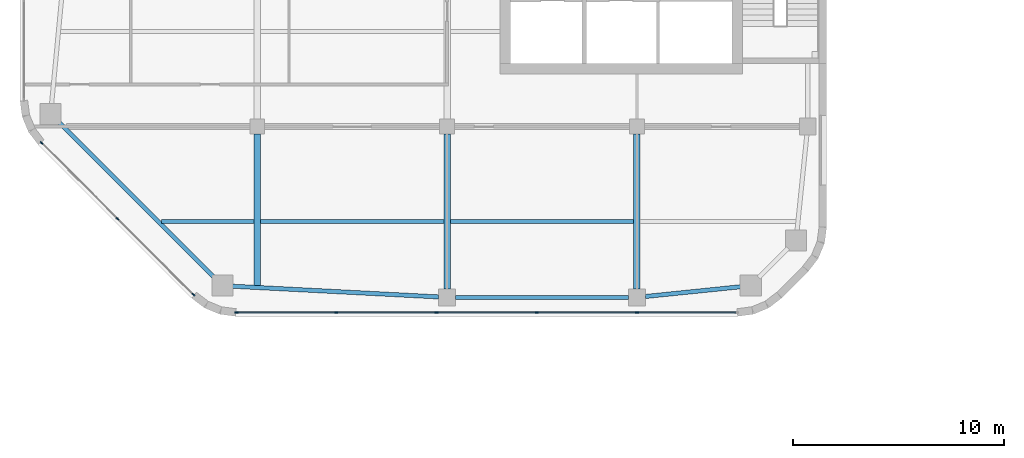
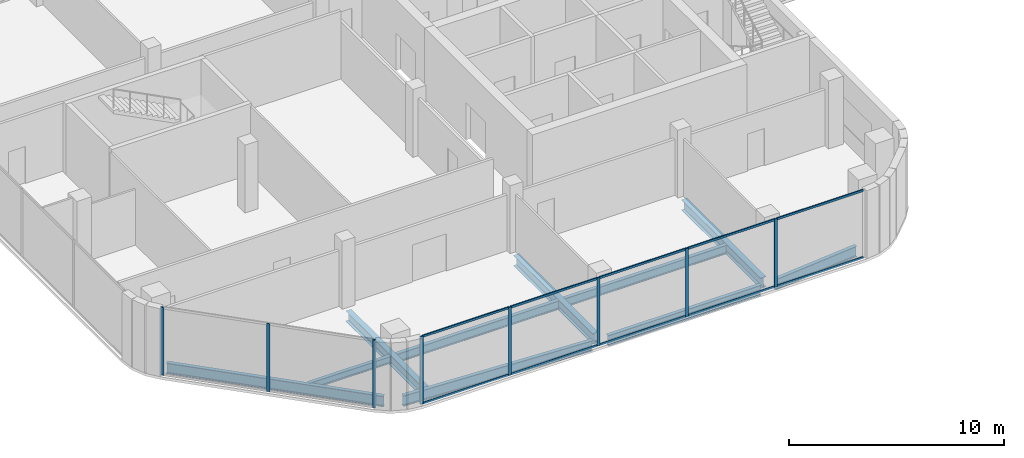
# One storey, part 2 of 24: 18 members, 10 beams, 2 elements without a shape of their own.
"""IFC4 building model written with IfcOpenShell, lengths in metres."""

import ifcopenshell
import ifcopenshell.guid

model = None  # the IFC model being written
_history = None  # IfcOwnerHistory: only IFC2X3 demands one
_inside = {}  # id of a spatial element -> (the spatial element, [elements in it])
_under = {}  # id of a project, library or spatial element -> (it, [spatial elements below it])
_declared = {}  # id of a project -> (the project, [libraries it declares])
_typed = {}  # id of a type object -> (the type object, [elements of that type])
_made_of = {}  # id of a material, layer set ... -> (it, [elements and type objects made of it])


def new_model(schema):
    """Start an empty IFC model of exactly this schema.

    Asked for "IFC4X3", IfcOpenShell would pick the latest addendum, in which some entities
    have other attributes; the version numbers below select the first issue.
    IFC2X3 requires an IfcOwnerHistory on every rooted entity: one is made here for all.
    """
    global model, _history
    if schema == "IFC4X3":
        model = ifcopenshell.file(schema_version=(4, 3, 0, 0))
    else:
        model = ifcopenshell.file(schema=schema)
    _inside.clear()
    _under.clear()
    _declared.clear()
    _typed.clear()
    _made_of.clear()
    _history = None
    if model.schema == "IFC2X3":
        org = make("IfcOrganization", Name="unknown")
        user = make(
            "IfcPersonAndOrganization",
            ThePerson=make("IfcPerson", FamilyName="unknown"),
            TheOrganization=org,
        )
        app = make(
            "IfcApplication",
            ApplicationDeveloper=org,
            Version="unknown",
            ApplicationFullName="unknown",
            ApplicationIdentifier="unknown",
        )
        _history = make(
            "IfcOwnerHistory",
            OwningUser=user,
            OwningApplication=app,
            ChangeAction="ADDED",
            CreationDate=0,
        )
    return model


def make(cls, **values):
    """One entity of the class cls with the attributes given. An attribute that is None is left unset."""
    return model.create_entity(
        cls, **{name: value for name, value in values.items() if value is not None}
    )


def rooted(cls, **values):
    """An entity with a GlobalId (a new one), such as an element, a storey or a relation."""
    return make(cls, GlobalId=ifcopenshell.guid.new(), OwnerHistory=_history, **values)


def si_unit(unit_type, name, prefix=None):
    """IfcSIUnit, for example si_unit("LENGTHUNIT", "METRE", prefix="MILLI")."""
    return make("IfcSIUnit", UnitType=unit_type, Prefix=prefix, Name=name)


def assignment(units):
    """IfcUnitAssignment: the units of a project."""
    return None if units is None else make("IfcUnitAssignment", Units=units)


def point(xyz):
    """IfcCartesianPoint."""
    return None if xyz is None else make("IfcCartesianPoint", Coordinates=xyz)


def direction(xyz):
    """IfcDirection."""
    return None if xyz is None else make("IfcDirection", DirectionRatios=xyz)


def frame(location, z_axis=None, x_axis=None):
    """IfcAxis2Placement3D, a coordinate frame: its origin and axes. An axis left out is left unset."""
    return make(
        "IfcAxis2Placement3D",
        Location=point(location),
        Axis=direction(z_axis),
        RefDirection=direction(x_axis),
    )


def frame_2d(location, x_axis=None):
    """IfcAxis2Placement2D, a coordinate frame in the plane: its origin and x axis."""
    return make(
        "IfcAxis2Placement2D", Location=point(location), RefDirection=direction(x_axis)
    )


def origin():
    """The frame at (0, 0, 0) with its axes left unset."""
    return frame((0.0, 0.0, 0.0))


def origin_2d():
    """The frame at (0, 0) in the plane with its x axis left unset."""
    return frame_2d((0.0, 0.0))


def place(relative_to, where):
    """IfcLocalPlacement: puts the frame where relative to a parent placement (None: the world)."""
    return make(
        "IfcLocalPlacement", PlacementRelTo=relative_to, RelativePlacement=where
    )


def context(
    kind, dimensions, precision=None, world=None, true_north=None, identifier=None
):
    """IfcGeometricRepresentationContext, for example the 3D "Model" context."""
    return make(
        "IfcGeometricRepresentationContext",
        ContextIdentifier=identifier,
        ContextType=kind,
        CoordinateSpaceDimension=dimensions,
        Precision=precision,
        WorldCoordinateSystem=world,
        TrueNorth=true_north,
    )


def subcontext(parent, identifier, kind, view, scale=None):
    """IfcGeometricRepresentationSubContext, for example "Body" below "Model"."""
    return make(
        "IfcGeometricRepresentationSubContext",
        ContextIdentifier=identifier,
        ContextType=kind,
        ParentContext=parent,
        TargetScale=scale,
        TargetView=view,
    )


def project(units=None, contexts=None):
    """IfcProject with its units and contexts."""
    return rooted(
        "IfcProject",
        Name="project",
        RepresentationContexts=contexts,
        UnitsInContext=assignment(units),
    )


def spatial(cls, under=None, at=None, **own):
    """A site, building, storey or space (cls), placed at a placement, below another one or the project."""
    s = rooted(cls, ObjectPlacement=at, **own)
    if under is not None:
        _under.setdefault(under.id(), (under, []))[1].append(s)
    return s


def profile(cls, at=None, kind="AREA", **sizes):
    """A parametric profile (cls). Its sizes go by their IFC names, for example OverallWidth=200.0."""
    return make(cls, ProfileType=kind, Position=at, **sizes)


def rectangle(**sizes):
    """IfcRectangleProfileDef."""
    return profile("IfcRectangleProfileDef", **sizes)


def i_section(**sizes):
    """IfcIShapeProfileDef."""
    return profile("IfcIShapeProfileDef", **sizes)


def extrude(swept, where, along, depth):
    """IfcExtrudedAreaSolid: the profile swept, set in the frame where, extruded along a direction by depth."""
    return make(
        "IfcExtrudedAreaSolid",
        SweptArea=swept,
        Position=where,
        ExtrudedDirection=direction(along),
        Depth=depth,
    )


def shape(context_of_items, identifier, shape_type, items):
    """IfcShapeRepresentation: the items that make up one representation, for example the "Body"."""
    return make(
        "IfcShapeRepresentation",
        ContextOfItems=context_of_items,
        RepresentationIdentifier=identifier,
        RepresentationType=shape_type,
        Items=items,
    )


def material(Name=None, Category=None):
    """IfcMaterial."""
    return make("IfcMaterial", Name=Name, Category=Category)


def material_profile(
    of_material, cross_section, Name=None, Category=None, Priority=None
):
    """IfcMaterialProfile: a cross section and its material."""
    return make(
        "IfcMaterialProfile",
        Name=Name,
        Material=of_material,
        Profile=cross_section,
        Priority=Priority,
        Category=Category,
    )


def profile_set(profiles, Name=None, composite=None):
    """IfcMaterialProfileSet."""
    return make(
        "IfcMaterialProfileSet",
        Name=Name,
        MaterialProfiles=profiles,
        CompositeProfile=composite,
    )


def made_of(thing, what):
    """Note that an element or type object is made of a material, layer set ...; save() writes the relation."""
    if what is not None:
        _made_of.setdefault(what.id(), (what, []))[1].append(thing)
    return thing


def type_object(cls, material=None, **own):
    """A type object (cls), such as IfcWallType, which elements share."""
    return made_of(rooted(cls, **own), material)


def element(
    cls,
    number,
    at=None,
    inside=None,
    cuts=None,
    type_object=None,
    material=None,
    context=None,
    identifier="Body",
    shape_type=None,
    held_by="IfcProductDefinitionShape",
    body=None,
    shapes=None,
    **own,
):
    """One element of the class cls, such as IfcWall. Its Tag is "e" and its number.

    at: its placement. inside: the storey or other place that contains it. cuts: it is an
    opening in that element (IfcRelVoidsElement). A single representation is given by context,
    identifier, shape_type and body (its items); several are given by shapes. held_by: the class
    of the entity that holds the representations. save() writes the other relations.
    """
    e = rooted(cls, Tag="e%d" % number, ObjectPlacement=at, **own)
    if body is not None:
        shapes = [shape(context, identifier, shape_type, body)]
    if shapes is not None:
        e.Representation = make(held_by, Representations=shapes)
    if inside is not None:
        _inside.setdefault(inside.id(), (inside, []))[1].append(e)
    if cuts is not None:
        rooted(
            "IfcRelVoidsElement", RelatingBuildingElement=cuts, RelatedOpeningElement=e
        )
    if type_object is not None:
        _typed.setdefault(type_object.id(), (type_object, []))[1].append(e)
    return made_of(e, material)


def aggregate(whole, parts):
    """IfcRelAggregates: a whole, such as a stair, and the parts it consists of."""
    return rooted("IfcRelAggregates", RelatingObject=whole, RelatedObjects=parts)


def save(model, path):
    """Write the relations noted so far, then the file.

    IfcRelAggregates (storeys below a building ...), IfcRelContainedInSpatialStructure (elements
    in a storey), IfcRelDefinesByType, IfcRelAssociatesMaterial and IfcRelDeclares: one each for
    every whole, place, type object, material and project.
    """
    for whole, parts in _under.values():
        aggregate(whole, parts)
    for where, things in _inside.values():
        rooted(
            "IfcRelContainedInSpatialStructure",
            RelatedElements=things,
            RelatingStructure=where,
        )
    for kind, things in _typed.values():
        rooted("IfcRelDefinesByType", RelatedObjects=things, RelatingType=kind)
    for what, things in _made_of.values():
        rooted("IfcRelAssociatesMaterial", RelatedObjects=things, RelatingMaterial=what)
    for by, libraries in _declared.values():
        rooted("IfcRelDeclares", RelatingContext=by, RelatedDefinitions=libraries)
    model.write(path)


model = new_model("IFC4")

# Units and contexts
model_context = context("Model", 3, precision=1e-05, world=origin(), true_north=direction((0.0, 1.0)))
body_context = subcontext(model_context, "Body", "Model", "MODEL_VIEW")
ifc_project = project(units=[si_unit("LENGTHUNIT", "METRE"), si_unit("AREAUNIT", "SQUARE_METRE"), si_unit("VOLUMEUNIT", "CUBIC_METRE"), si_unit("PLANEANGLEUNIT", "RADIAN"), si_unit("MASSUNIT", "GRAM", prefix="KILO")], contexts=[model_context])

# Site, building, storey
site_placement = place(None, origin())
site = spatial("IfcSite", under=ifc_project, at=site_placement, CompositionType="ELEMENT")
building_placement = place(site_placement, origin())
building = spatial("IfcBuilding", under=site, at=building_placement, Name="Cinnabar Reach Civic Tower", CompositionType="ELEMENT")
storey_placement = place(building_placement, frame((0.0, 0.0, 71.0)))
storey = spatial("IfcBuildingStorey", under=building, at=storey_placement, Name="L16", CompositionType="ELEMENT", Elevation=71.0)

# Beams
ifc_material_1 = material(Name="Steel Q355B", Category="steel")
ifc_material_profile_1 = material_profile(ifc_material_1, i_section(OverallWidth=0.302, OverallDepth=0.594, WebThickness=0.014, FlangeThickness=0.023, FilletRadius=0.016, at=origin_2d()), Name="HM594x302x14x23")
ifc_profile_set_1 = profile_set([ifc_material_profile_1], Name="Steel Q355B")
beam_type_1 = type_object("IfcBeamType", Name="HM594x302x14x23 beam R 120", PredefinedType="BEAM", material=ifc_profile_set_1)
beam_1_placement = place(storey_placement, frame((-54.0, 10.4696, -0.447), z_axis=(0.0, 1.0, 0.0), x_axis=(-1.0, 0.0, 0.0)))
element("IfcBeam", 1, at=beam_1_placement, inside=storey, type_object=beam_type_1, Name="Girder T2 L16 1", PredefinedType="BEAM", context=body_context, shape_type="SweptSolid", body=[
    extrude(i_section(OverallWidth=0.302, OverallDepth=0.594, WebThickness=0.014, FlangeThickness=0.023, FilletRadius=0.016, at=origin_2d()), origin(), (0.0, 0.0, 1.0), 7.1784),
])
for number, where, z_axis, x_axis, name in (
    (2, (-45.0, 10.302, -0.447), (0.0, 1.0, 0.0), (-1.0, 0.0, 0.0), "Girder T2 L16 6"),
    (3, (-36.0, 10.302, -0.447), (0.0, 1.0, 0.0), (-1.0, 0.0, 0.0), "Girder T2 L16 10"),
):
    element("IfcBeam", number, at=place(storey_placement, frame(where, z_axis=z_axis, x_axis=x_axis)), inside=storey, type_object=beam_type_1, Name=name, PredefinedType="BEAM", context=body_context, shape_type="SweptSolid", body=[
        extrude(i_section(OverallWidth=0.302, OverallDepth=0.594, WebThickness=0.014, FlangeThickness=0.023, FilletRadius=0.016, at=origin_2d()), origin(), (0.0, 0.0, 1.0), 7.346),
    ])
ifc_material_profile_2 = material_profile(ifc_material_1, i_section(OverallWidth=0.199, OverallDepth=0.396, WebThickness=0.007, FlangeThickness=0.011, FilletRadius=0.013, at=origin_2d()), Name="HN396x199x7x11")
ifc_profile_set_2 = profile_set([ifc_material_profile_2], Name="Steel Q355B")
beam_type_2 = type_object("IfcBeamType", Name="HN396x199x7x11 beam R 120", PredefinedType="BEAM", material=ifc_profile_set_2)
beam_2_placement = place(storey_placement, frame((-58.5508, 13.5, -0.348), z_axis=(1.0, 0.0, 0.0), x_axis=(0.0, 1.0, 0.0)))
element("IfcBeam", 4, at=beam_2_placement, inside=storey, type_object=beam_type_2, Name="Secondary beam T2 L16 1", PredefinedType="BEAM", context=body_context, shape_type="SweptSolid", body=[
    extrude(i_section(OverallWidth=0.199, OverallDepth=0.396, WebThickness=0.007, FlangeThickness=0.011, FilletRadius=0.013, at=origin_2d()), origin(), (0.0, 0.0, 1.0), 4.3978),
])
ifc_material_profile_3 = material_profile(ifc_material_1, i_section(OverallWidth=0.199, OverallDepth=0.496, WebThickness=0.009, FlangeThickness=0.014, FilletRadius=0.016, at=origin_2d()), Name="HN496x199x9x14")
ifc_profile_set_3 = profile_set([ifc_material_profile_3], Name="Steel Q355B")
beam_type_3 = type_object("IfcBeamType", Name="HN496x199x9x14 beam R 120", PredefinedType="BEAM", material=ifc_profile_set_3)
for number, where, z_axis, x_axis, name in (
    (5, (-53.847, 13.5, -0.398), (1.0, 0.0, 0.0), (0.0, 1.0, 0.0), "Secondary beam T2 L16 2"),
    (6, (-44.847, 13.5, -0.398), (1.0, 0.0, 0.0), (0.0, 1.0, 0.0), "Secondary beam T2 L16 3"),
):
    element("IfcBeam", number, at=place(storey_placement, frame(where, z_axis=z_axis, x_axis=x_axis)), inside=storey, type_object=beam_type_3, Name=name, PredefinedType="BEAM", context=body_context, shape_type="SweptSolid", body=[
        extrude(i_section(OverallWidth=0.199, OverallDepth=0.496, WebThickness=0.009, FlangeThickness=0.014, FilletRadius=0.016, at=origin_2d()), origin(), (0.0, 0.0, 1.0), 8.694),
    ])
ifc_material_profile_4 = material_profile(ifc_material_1, i_section(OverallWidth=0.2, OverallDepth=0.6, WebThickness=0.011, FlangeThickness=0.017, FilletRadius=0.016, at=origin_2d()), Name="HN600x200x11x17")
ifc_profile_set_4 = profile_set([ifc_material_profile_4], Name="Steel Q355B")
beam_type_4 = type_object("IfcBeamType", Name="HN600x200x11x17 beam R 120", PredefinedType="BEAM", material=ifc_profile_set_4)
beam_3_placement = place(storey_placement, frame((-55.2661, 10.4333, -0.45), z_axis=(0.998653533726, -0.051876001934, 0.0), x_axis=(0.051876001934, 0.998653533726, 0.0)))
element("IfcBeam", 7, at=beam_3_placement, inside=storey, type_object=beam_type_4, Name="Edge beam T2 L16 1", PredefinedType="BEAM", context=body_context, shape_type="SweptSolid", body=[
    extrude(i_section(OverallWidth=0.2, OverallDepth=0.6, WebThickness=0.011, FlangeThickness=0.017, FilletRadius=0.016, at=origin_2d()), origin(), (0.0, 0.0, 1.0), 9.8774),
])
beam_4_placement = place(storey_placement, frame((-44.598, 9.9, -0.45), z_axis=(1.0, 0.0, 0.0), x_axis=(0.0, 1.0, 0.0)))
element("IfcBeam", 8, at=beam_4_placement, inside=storey, type_object=beam_type_4, Name="Edge beam T2 L16 2", PredefinedType="BEAM", context=body_context, shape_type="SweptSolid", body=[
    extrude(i_section(OverallWidth=0.2, OverallDepth=0.6, WebThickness=0.011, FlangeThickness=0.017, FilletRadius=0.016, at=origin_2d()), origin(), (0.0, 0.0, 1.0), 8.196),
])
beam_5_placement = place(storey_placement, frame((-35.598, 9.9412, -0.45), z_axis=(0.994791084875, 0.101934770579, 0.0), x_axis=(-0.101934770579, 0.994791084875, 0.0)))
element("IfcBeam", 9, at=beam_5_placement, inside=storey, type_object=beam_type_4, Name="Edge beam T2 L16 3", PredefinedType="BEAM", context=body_context, shape_type="SweptSolid", body=[
    extrude(i_section(OverallWidth=0.2, OverallDepth=0.6, WebThickness=0.011, FlangeThickness=0.017, FilletRadius=0.016, at=origin_2d()), origin(), (0.0, 0.0, 1.0), 4.6383),
])
beam_6_placement = place(storey_placement, frame((-63.4149, 18.2199, -0.45), z_axis=(0.707106781187, -0.707106781187, 0.0), x_axis=(0.707106781187, 0.707106781187, 0.0)))
element("IfcBeam", 10, at=beam_6_placement, inside=storey, type_object=beam_type_4, Name="Edge beam T2 L16 17", PredefinedType="BEAM", context=body_context, shape_type="SweptSolid", body=[
    extrude(i_section(OverallWidth=0.2, OverallDepth=0.6, WebThickness=0.011, FlangeThickness=0.017, FilletRadius=0.016, at=origin_2d()), origin(), (0.0, 0.0, 1.0), 10.4437),
])

# Curtain wall, members
ifc_material_2 = material(Name="Aluminium and clear double glazing", Category="aluminium")
curtain_wall_type = type_object("IfcCurtainWallType", Name="Tower 2 sky lobby and amenity curtain wall", PredefinedType="NOTDEFINED", material=ifc_material_2)
curtain_wall_1_placement = place(storey_placement, origin())
curtain_wall_1 = element("IfcCurtainWall", 11, at=curtain_wall_1_placement, inside=storey, type_object=curtain_wall_type, Name="Tower 2 sky lobby and amenity 1", PredefinedType="NOTDEFINED")
ifc_material_3 = material(Name="Aluminium", Category="aluminium")
ifc_material_profile_5 = material_profile(ifc_material_3, rectangle(XDim=0.06, YDim=0.16, at=origin_2d()), Name="Tower 2 sky lobby and amenity mullion")
ifc_profile_set_5 = profile_set([ifc_material_profile_5], Name="Aluminium")
member_type_1 = type_object("IfcMemberType", Name="Tower 2 sky lobby and amenity mullion", PredefinedType="MULLION", material=ifc_profile_set_5)
member_1_placement = place(storey_placement, frame((-54.9774, 9.18, 0.0), z_axis=(0.0, 0.0, 1.0), x_axis=(0.0, 1.0, 0.0)))
member_1 = element("IfcMember", 12, at=member_1_placement, type_object=member_type_1, Name="CW-T2SKY-1 mullion 1", PredefinedType="MULLION", context=body_context, shape_type="SweptSolid", body=[
    extrude(rectangle(XDim=0.06, YDim=0.16, at=origin_2d()), origin(), (0.0, 0.0, 1.0), 3.85),
])
member_2_placement = place(storey_placement, frame((-50.2544, 9.18, 0.0), z_axis=(0.0, 0.0, 1.0), x_axis=(0.0, 1.0, 0.0)))
member_2 = element("IfcMember", 13, at=member_2_placement, type_object=member_type_1, Name="CW-T2SKY-1 mullion 2", PredefinedType="MULLION", context=body_context, shape_type="SweptSolid", body=[
    extrude(rectangle(XDim=0.06, YDim=0.16, at=origin_2d()), origin(), (0.0, 0.0, 1.0), 3.85),
])
member_3_placement = place(storey_placement, frame((-45.5015, 9.18, 0.0), z_axis=(0.0, 0.0, 1.0), x_axis=(0.0, 1.0, 0.0)))
member_3 = element("IfcMember", 14, at=member_3_placement, type_object=member_type_1, Name="CW-T2SKY-1 mullion 3", PredefinedType="MULLION", context=body_context, shape_type="SweptSolid", body=[
    extrude(rectangle(XDim=0.06, YDim=0.16, at=origin_2d()), origin(), (0.0, 0.0, 1.0), 3.85),
])
member_4_placement = place(storey_placement, frame((-40.7485, 9.18, 0.0), z_axis=(0.0, 0.0, 1.0), x_axis=(0.0, 1.0, 0.0)))
member_4 = element("IfcMember", 15, at=member_4_placement, type_object=member_type_1, Name="CW-T2SKY-1 mullion 4", PredefinedType="MULLION", context=body_context, shape_type="SweptSolid", body=[
    extrude(rectangle(XDim=0.06, YDim=0.16, at=origin_2d()), origin(), (0.0, 0.0, 1.0), 3.85),
])
member_5_placement = place(storey_placement, frame((-35.9956, 9.18, 0.0), z_axis=(0.0, 0.0, 1.0), x_axis=(0.0, 1.0, 0.0)))
member_5 = element("IfcMember", 16, at=member_5_placement, type_object=member_type_1, Name="CW-T2SKY-1 mullion 5", PredefinedType="MULLION", context=body_context, shape_type="SweptSolid", body=[
    extrude(rectangle(XDim=0.06, YDim=0.16, at=origin_2d()), origin(), (0.0, 0.0, 1.0), 3.85),
])

curtain_wall_2_placement = place(storey_placement, origin())
curtain_wall_2 = element("IfcCurtainWall", 17, at=curtain_wall_2_placement, inside=storey, type_object=curtain_wall_type, Name="Tower 2 sky lobby and amenity 4", PredefinedType="NOTDEFINED")
member_6_placement = place(storey_placement, frame((-64.2228, 17.2274, 0.0), z_axis=(0.0, 0.0, 1.0), x_axis=(0.707106781187, 0.707106781187, 0.0)))
member_6 = element("IfcMember", 18, at=member_6_placement, type_object=member_type_1, Name="CW-T2SKY-4 mullion 1", PredefinedType="MULLION", context=body_context, shape_type="SweptSolid", body=[
    extrude(rectangle(XDim=0.06, YDim=0.16, at=origin_2d()), origin(), (0.0, 0.0, 1.0), 3.85),
])
member_7_placement = place(storey_placement, frame((-60.6227, 13.6273, 0.0), z_axis=(0.0, 0.0, 1.0), x_axis=(0.707106781187, 0.707106781187, 0.0)))
member_7 = element("IfcMember", 19, at=member_7_placement, type_object=member_type_1, Name="CW-T2SKY-4 mullion 2", PredefinedType="MULLION", context=body_context, shape_type="SweptSolid", body=[
    extrude(rectangle(XDim=0.06, YDim=0.16, at=origin_2d()), origin(), (0.0, 0.0, 1.0), 3.85),
])
member_8_placement = place(storey_placement, frame((-57.0226, 10.0272, 0.0), z_axis=(0.0, 0.0, 1.0), x_axis=(0.707106781187, 0.707106781187, 0.0)))
member_8 = element("IfcMember", 20, at=member_8_placement, type_object=member_type_1, Name="CW-T2SKY-4 mullion 3", PredefinedType="MULLION", context=body_context, shape_type="SweptSolid", body=[
    extrude(rectangle(XDim=0.06, YDim=0.16, at=origin_2d()), origin(), (0.0, 0.0, 1.0), 3.85),
])
aggregate(curtain_wall_2, [member_6, member_7, member_8])

# Member
ifc_material_profile_6 = material_profile(ifc_material_3, rectangle(XDim=0.06, YDim=0.12, at=origin_2d()), Name="Tower 2 sky lobby and amenity transom")
ifc_profile_set_6 = profile_set([ifc_material_profile_6], Name="Aluminium")
member_type_2 = type_object("IfcMemberType", Name="Tower 2 sky lobby and amenity transom", PredefinedType="USERDEFINED", material=ifc_profile_set_6)
member_9_placement = place(storey_placement, frame((-54.9474, 9.18, 0.03), z_axis=(1.0, 0.0, 0.0), x_axis=(0.0, 1.0, 0.0)))
member_9 = element("IfcMember", 21, at=member_9_placement, type_object=member_type_2, Name="CW-T2SKY-1 transom 1.1", ObjectType="TRANSOM", PredefinedType="USERDEFINED", context=body_context, shape_type="SweptSolid", body=[
    extrude(rectangle(XDim=0.06, YDim=0.12, at=origin_2d()), origin(), (0.0, 0.0, 1.0), 4.663),
])

member_10_placement = place(storey_placement, frame((-54.9474, 9.18, 3.82), z_axis=(1.0, 0.0, 0.0), x_axis=(0.0, 1.0, 0.0)))
member_10 = element("IfcMember", 22, at=member_10_placement, type_object=member_type_2, Name="CW-T2SKY-1 transom 1.2", ObjectType="TRANSOM", PredefinedType="USERDEFINED", context=body_context, shape_type="SweptSolid", body=[
    extrude(rectangle(XDim=0.06, YDim=0.12, at=origin_2d()), origin(), (0.0, 0.0, 1.0), 4.663),
])

member_11_placement = place(storey_placement, frame((-50.2244, 9.18, 0.03), z_axis=(1.0, 0.0, 0.0), x_axis=(0.0, 1.0, 0.0)))
member_11 = element("IfcMember", 23, at=member_11_placement, type_object=member_type_2, Name="CW-T2SKY-1 transom 2.1", ObjectType="TRANSOM", PredefinedType="USERDEFINED", context=body_context, shape_type="SweptSolid", body=[
    extrude(rectangle(XDim=0.06, YDim=0.12, at=origin_2d()), origin(), (0.0, 0.0, 1.0), 4.6929),
])

member_12_placement = place(storey_placement, frame((-50.2244, 9.18, 3.82), z_axis=(1.0, 0.0, 0.0), x_axis=(0.0, 1.0, 0.0)))
member_12 = element("IfcMember", 24, at=member_12_placement, type_object=member_type_2, Name="CW-T2SKY-1 transom 2.2", ObjectType="TRANSOM", PredefinedType="USERDEFINED", context=body_context, shape_type="SweptSolid", body=[
    extrude(rectangle(XDim=0.06, YDim=0.12, at=origin_2d()), origin(), (0.0, 0.0, 1.0), 4.6929),
])

member_13_placement = place(storey_placement, frame((-45.4715, 9.18, 0.03), z_axis=(1.0, 0.0, 0.0), x_axis=(0.0, 1.0, 0.0)))
member_13 = element("IfcMember", 25, at=member_13_placement, type_object=member_type_2, Name="CW-T2SKY-1 transom 3.1", ObjectType="TRANSOM", PredefinedType="USERDEFINED", context=body_context, shape_type="SweptSolid", body=[
    extrude(rectangle(XDim=0.06, YDim=0.12, at=origin_2d()), origin(), (0.0, 0.0, 1.0), 4.693),
])

member_14_placement = place(storey_placement, frame((-45.4715, 9.18, 3.82), z_axis=(1.0, 0.0, 0.0), x_axis=(0.0, 1.0, 0.0)))
member_14 = element("IfcMember", 26, at=member_14_placement, type_object=member_type_2, Name="CW-T2SKY-1 transom 3.2", ObjectType="TRANSOM", PredefinedType="USERDEFINED", context=body_context, shape_type="SweptSolid", body=[
    extrude(rectangle(XDim=0.06, YDim=0.12, at=origin_2d()), origin(), (0.0, 0.0, 1.0), 4.693),
])

member_15_placement = place(storey_placement, frame((-40.7185, 9.18, 0.03), z_axis=(1.0, 0.0, 0.0), x_axis=(0.0, 1.0, 0.0)))
member_15 = element("IfcMember", 27, at=member_15_placement, type_object=member_type_2, Name="CW-T2SKY-1 transom 4.1", ObjectType="TRANSOM", PredefinedType="USERDEFINED", context=body_context, shape_type="SweptSolid", body=[
    extrude(rectangle(XDim=0.06, YDim=0.12, at=origin_2d()), origin(), (0.0, 0.0, 1.0), 4.6929),
])

member_16_placement = place(storey_placement, frame((-40.7185, 9.18, 3.82), z_axis=(1.0, 0.0, 0.0), x_axis=(0.0, 1.0, 0.0)))
member_16 = element("IfcMember", 28, at=member_16_placement, type_object=member_type_2, Name="CW-T2SKY-1 transom 4.2", ObjectType="TRANSOM", PredefinedType="USERDEFINED", context=body_context, shape_type="SweptSolid", body=[
    extrude(rectangle(XDim=0.06, YDim=0.12, at=origin_2d()), origin(), (0.0, 0.0, 1.0), 4.6929),
])

member_17_placement = place(storey_placement, frame((-35.9656, 9.18, 0.03), z_axis=(1.0, 0.0, 0.0), x_axis=(0.0, 1.0, 0.0)))
member_17 = element("IfcMember", 29, at=member_17_placement, type_object=member_type_2, Name="CW-T2SKY-1 transom 5.1", ObjectType="TRANSOM", PredefinedType="USERDEFINED", context=body_context, shape_type="SweptSolid", body=[
    extrude(rectangle(XDim=0.06, YDim=0.12, at=origin_2d()), origin(), (0.0, 0.0, 1.0), 4.663),
])

member_18_placement = place(storey_placement, frame((-35.9656, 9.18, 3.82), z_axis=(1.0, 0.0, 0.0), x_axis=(0.0, 1.0, 0.0)))
member_18 = element("IfcMember", 30, at=member_18_placement, type_object=member_type_2, Name="CW-T2SKY-1 transom 5.2", ObjectType="TRANSOM", PredefinedType="USERDEFINED", context=body_context, shape_type="SweptSolid", body=[
    extrude(rectangle(XDim=0.06, YDim=0.12, at=origin_2d()), origin(), (0.0, 0.0, 1.0), 4.663),
])

aggregate(curtain_wall_1, [member_1, member_2, member_3, member_4, member_5, member_9, member_10, member_11, member_12, member_13, member_14, member_15, member_16, member_17, member_18])

save(model, "model.ifc")
